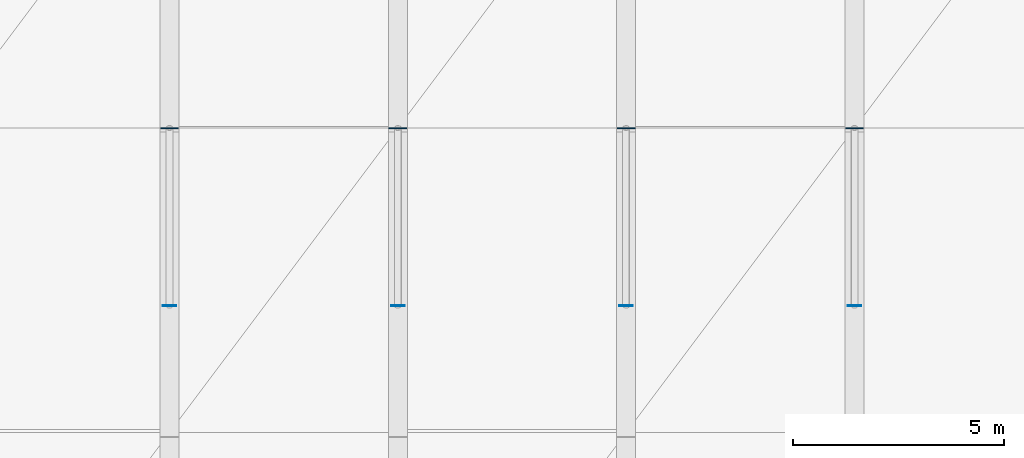
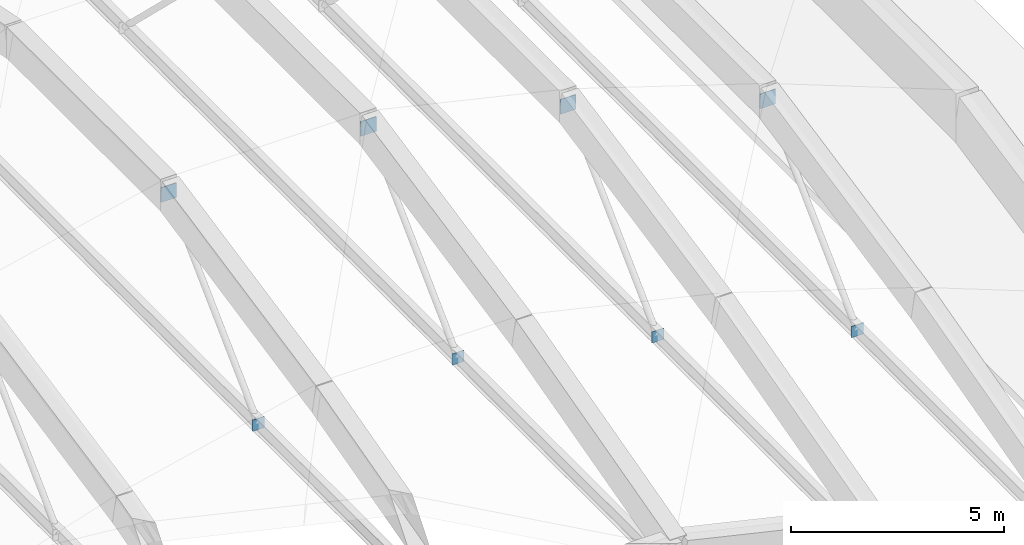
# One storey, part 15 of 27: 8 plates.
"""IFC4 building model written with IfcOpenShell, lengths in metres."""

from ifc_helpers import new_model, si_unit, direction, frame, origin, origin_2d, place, context, subcontext, project, spatial, rectangle, extrude, material, layer, layer_set, type_object, element, save


model = new_model("IFC4")

# Units and contexts
model_context = context("Model", 3, precision=1e-05, world=origin(), true_north=direction((0.0, 1.0)))
body_context = subcontext(model_context, "Body", "Model", "MODEL_VIEW")
ifc_project = project(units=[si_unit("LENGTHUNIT", "METRE"), si_unit("AREAUNIT", "SQUARE_METRE"), si_unit("VOLUMEUNIT", "CUBIC_METRE"), si_unit("PLANEANGLEUNIT", "RADIAN"), si_unit("MASSUNIT", "GRAM", prefix="KILO")], contexts=[model_context])

# Site, building, storey
site_placement = place(None, origin())
site = spatial("IfcSite", under=ifc_project, at=site_placement, CompositionType="ELEMENT")
building_placement = place(site_placement, origin())
building = spatial("IfcBuilding", under=site, at=building_placement, Name="Tazoul Stagehouse", CompositionType="ELEMENT")
storey_placement = place(building_placement, frame((0.0, 0.0, 24.89990234375)))
storey = spatial("IfcBuildingStorey", under=building, at=storey_placement, Name="RF", CompositionType="ELEMENT", Elevation=24.89990234375)

# Plates
ifc_material = material(Name="Steel S355", Category="steel")
ifc_layer_1 = layer(ifc_material, 0.02001953125, Name="Steel S355")
ifc_layer_set_1 = layer_set([ifc_layer_1], Name="Steel S355")
plate_type_1 = type_object("IfcPlateType", Name="Steel Brace End-Cap Plate 320x320x20", PredefinedType="USERDEFINED", material=ifc_layer_set_1)
for number, where, z_axis, x_axis, name in (
    (1, (73.800048828125, 62.0, -4.0009765625), (0.0, 0.0, 1.0), (0.0, 1.0, 0.0), "RF Gusset End-Cap Plate GP-01 (SHELL-STRUT-04S-1)"),
    (2, (79.199951171875, 62.0, -4.0009765625), (0.0, 0.0, 1.0), (0.0, 1.0, 0.0), "RF Gusset End-Cap Plate GP-01 (SHELL-STRUT-05S-1)"),
    (3, (84.60009765625, 62.0, -5.26025390625), (0.0, 0.0, 1.0), (0.0, 1.0, 0.0), "RF Gusset End-Cap Plate GP-01 (SHELL-STRUT-06S-1)"),
    (4, (90.0, 62.0, -6.9951171875), (0.0, 0.0, 1.0), (0.0, 1.0, 0.0), "RF Gusset End-Cap Plate GP-01 (SHELL-STRUT-07S-1)"),
):
    element("IfcPlate", number, at=place(storey_placement, frame(where, z_axis=z_axis, x_axis=x_axis)), inside=storey, type_object=plate_type_1, Name=name, ObjectType="GUSSET PLATE", PredefinedType="USERDEFINED", context=body_context, shape_type="SweptSolid", body=[
        extrude(rectangle(XDim=0.02001953125, YDim=0.320068359375, at=origin_2d()), origin(), (0.0, 0.0, 1.0), 0.320068359375),
    ])
ifc_layer_2 = layer(ifc_material, 0.02392578125, Name="Steel S355")
ifc_layer_set_2 = layer_set([ifc_layer_2], Name="Steel S355")
plate_type_2 = type_object("IfcPlateType", Name="Steel Gusset Node Plate 420x420x24", PredefinedType="USERDEFINED", material=ifc_layer_set_2)
for number, where, z_axis, x_axis, name in (
    (5, (73.800048828125, 66.199951171875, 0.0166015625), (0.0, 0.0, 1.0), (0.0, 1.0, 0.0), "RF Gusset End-Cap Plate GP-02 (SHELL-STRUT-04S-2)"),
    (6, (79.199951171875, 66.199951171875, 0.0166015625), (0.0, 0.0, 1.0), (0.0, 1.0, 0.0), "RF Gusset End-Cap Plate GP-02 (SHELL-STRUT-05S-2)"),
    (7, (84.60009765625, 66.199951171875, -1.242919921875), (0.0, 0.0, 1.0), (0.0, 1.0, 0.0), "RF Gusset End-Cap Plate GP-02 (SHELL-STRUT-06S-2)"),
    (8, (90.0, 66.199951171875, -2.9775390625), (0.0, 0.0, 1.0), (0.0, 1.0, 0.0), "RF Gusset End-Cap Plate GP-02 (SHELL-STRUT-07S-2)"),
):
    element("IfcPlate", number, at=place(storey_placement, frame(where, z_axis=z_axis, x_axis=x_axis)), inside=storey, type_object=plate_type_2, Name=name, ObjectType="GUSSET PLATE", PredefinedType="USERDEFINED", context=body_context, shape_type="SweptSolid", body=[
        extrude(rectangle(XDim=0.02392578125, YDim=0.419921875, at=origin_2d()), origin(), (0.0, 0.0, 1.0), 0.419921875),
    ])

save(model, "model.ifc")
